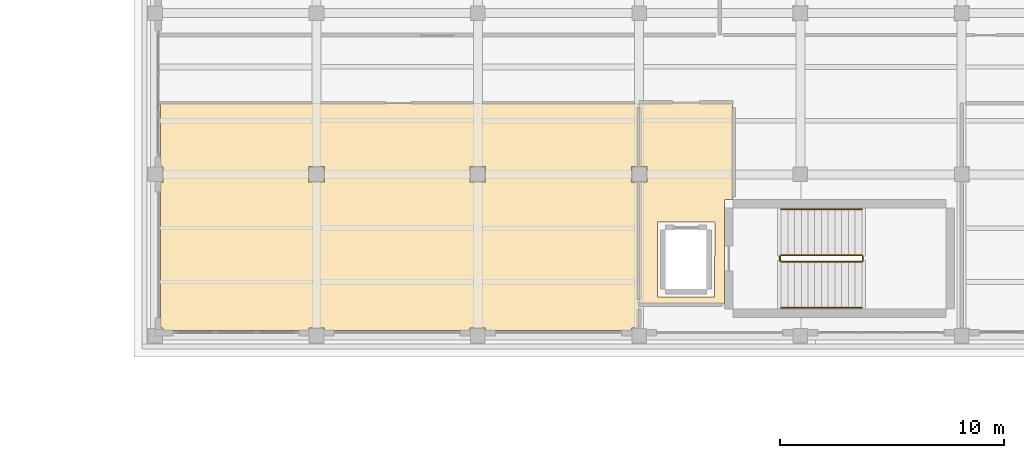
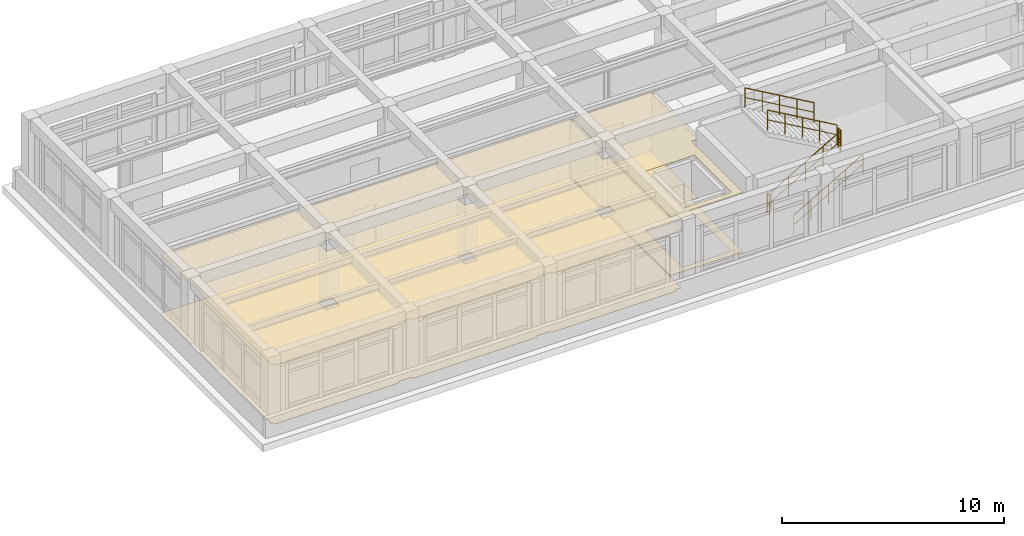
# One storey, part 52 of 55: 6 railings, 4 coverings.
"""IFC4 building model written with IfcOpenShell, lengths in metres."""

from ifc_helpers import new_model, si_unit, direction, frame, origin, origin_2d, place, context, subcontext, project, spatial, polyline, circle, outline, extrude, material, layer, layer_set, type_object, element, save


model = new_model("IFC4")

# Units and contexts
model_context = context("Model", 3, precision=1e-05, world=origin(), true_north=direction((0.0, 1.0)))
body_context = subcontext(model_context, "Body", "Model", "MODEL_VIEW")
ifc_project = project(units=[si_unit("LENGTHUNIT", "METRE"), si_unit("AREAUNIT", "SQUARE_METRE"), si_unit("VOLUMEUNIT", "CUBIC_METRE"), si_unit("PLANEANGLEUNIT", "RADIAN"), si_unit("MASSUNIT", "GRAM", prefix="KILO")], contexts=[model_context])

# Site, building, storey
site_placement = place(None, origin())
site = spatial("IfcSite", under=ifc_project, at=site_placement, CompositionType="ELEMENT")
building_placement = place(site_placement, origin())
building = spatial("IfcBuilding", under=site, at=building_placement, Name="Solenvale Faculty of Natural Sciences", CompositionType="ELEMENT")
storey_placement = place(building_placement, frame((0.0, 0.0, 22.5)))
storey = spatial("IfcBuildingStorey", under=building, at=storey_placement, Name="L05", CompositionType="ELEMENT", Elevation=22.5)

# Coverings
ifc_material_1 = material(Name="Acoustic mineral-timber ceiling", Category="wood")
ifc_layer_1 = layer(ifc_material_1, 0.02490234375)
ifc_layer_set_1 = layer_set([ifc_layer_1], Name="Acoustic mineral-timber ceiling")
covering_type_1 = type_object("IfcCoveringType", Name="COV-CEIL-AC25", PredefinedType="CEILING", material=ifc_layer_set_1)
covering_1_placement = place(storey_placement, frame((0.0, 0.0, 3.235107421875)))
element("IfcCovering", 1, at=covering_1_placement, inside=storey, type_object=covering_type_1, Name="L05 Firefighting Lobby C4 Acoustic Ceiling", PredefinedType="CEILING", context=body_context, shape_type="SweptSolid", body=[
    extrude(outline(polyline([(104.97998046875, 99.7099609375), (104.9560546875, 99.680908203125), (104.64794921875, 99.679931640625), (104.6201171875, 99.652099609375), (104.613037109375, 95.031005859375), (104.590087890625, 95.02001953125), (100.8310546875, 95.027099609375), (100.820068359375, 95.050048828125), (100.820068359375, 100.423095703125), (100.846923828125, 100.449951171875), (101.14892578125, 100.4560546875), (101.14990234375, 101.138916015625), (101.138916015625, 101.14990234375), (100.846923828125, 101.14990234375), (100.820068359375, 101.177001953125), (100.820068359375, 103.949951171875), (100.8291015625, 103.970947265625), (100.85009765625, 103.97998046875), (104.949951171875, 103.97998046875), (104.970947265625, 103.970947265625), (104.97998046875, 103.949951171875), (104.97998046875, 99.7099609375)]), holes=[polyline([(104.179931640625, 98.652099609375), (104.169921875, 98.672119140625), (104.14990234375, 98.679931640625), (101.64990234375, 98.679931640625), (101.6259765625, 98.66796875), (101.6201171875, 95.35009765625), (101.632080078125, 95.325927734375), (104.14990234375, 95.320068359375), (104.174072265625, 95.33203125), (104.179931640625, 98.652099609375)])]), origin(), (0.0, 0.0, 1.0), 0.02490234375),
])
covering_2_placement = place(storey_placement, frame((0.0, 0.0, 3.235107421875)))
element("IfcCovering", 2, at=covering_2_placement, inside=storey, type_object=covering_type_1, Name="L05 Seminar Room Acoustic Ceiling", PredefinedType="CEILING", context=body_context, shape_type="SweptSolid", body=[
    extrude(outline(polyline([(100.72998046875, 103.9599609375), (100.7509765625, 103.950927734375), (100.760009765625, 103.929931640625), (100.760009765625, 101.177001953125), (100.73291015625, 101.14990234375), (100.450927734375, 101.14404296875), (100.449951171875, 100.4609375), (100.4609375, 100.449951171875), (100.73291015625, 100.449951171875), (100.760009765625, 100.419921875), (100.760009765625, 95.0), (100.780029296875, 94.950927734375), (100.780029296875, 93.97998046875), (100.760986328125, 93.951904296875), (100.45703125, 93.949951171875), (100.448974609375, 93.861083984375), (100.419921875, 93.840087890625), (93.97998046875, 93.840087890625), (93.951904296875, 93.85888671875), (93.949951171875, 93.94091796875), (93.93896484375, 93.949951171875), (93.258056640625, 93.949951171875), (93.2490234375, 93.861083984375), (93.219970703125, 93.840087890625), (86.780029296875, 93.840087890625), (86.751953125, 93.85888671875), (86.75, 93.94091796875), (86.739013671875, 93.949951171875), (86.05810546875, 93.949951171875), (86.049072265625, 93.861083984375), (86.02001953125, 93.840087890625), (79.580078125, 93.840087890625), (79.551025390625, 93.861083984375), (79.547119140625, 93.947021484375), (79.464111328125, 93.950927734375), (79.44189453125, 93.968994140625), (79.43994140625, 100.419921875), (79.458984375, 100.447998046875), (79.541015625, 100.449951171875), (79.550048828125, 100.4609375), (79.550048828125, 101.14208984375), (79.4609375, 101.15087890625), (79.43994140625, 101.179931640625), (79.43994140625, 103.929931640625), (79.458984375, 103.9580078125), (100.72998046875, 103.9599609375)]), holes=[polyline([(93.260986328125, 101.14990234375), (93.25, 101.138916015625), (93.2529296875, 100.452880859375), (93.947021484375, 100.452880859375), (93.947021484375, 101.14697265625), (93.260986328125, 101.14990234375)]), polyline([(86.06103515625, 101.14990234375), (86.050048828125, 101.138916015625), (86.052978515625, 100.452880859375), (86.7470703125, 100.452880859375), (86.7470703125, 101.14697265625), (86.06103515625, 101.14990234375)])]), origin(), (0.0, 0.0, 1.0), 0.02490234375),
])
ifc_material_2 = material(Name="Polished slate terrazzo flooring", Category="masonry")
ifc_layer_2 = layer(ifc_material_2, 0.01806640625)
ifc_layer_set_2 = layer_set([ifc_layer_2], Name="Polished slate terrazzo flooring")
covering_type_2 = type_object("IfcCoveringType", Name="COV-FLR-TRZ18", PredefinedType="FLOORING", material=ifc_layer_set_2)
covering_3_placement = place(storey_placement, origin())
element("IfcCovering", 3, at=covering_3_placement, inside=storey, type_object=covering_type_2, Name="L05 Firefighting Lobby C4 Floor Finish", PredefinedType="FLOORING", context=body_context, shape_type="SweptSolid", body=[
    extrude(outline(polyline([(104.97998046875, 99.7099609375), (104.9560546875, 99.680908203125), (104.64794921875, 99.679931640625), (104.6201171875, 99.652099609375), (104.613037109375, 95.031005859375), (104.590087890625, 95.02001953125), (100.8310546875, 95.027099609375), (100.820068359375, 95.050048828125), (100.820068359375, 100.423095703125), (100.846923828125, 100.449951171875), (101.14892578125, 100.4560546875), (101.14990234375, 101.138916015625), (101.138916015625, 101.14990234375), (100.846923828125, 101.14990234375), (100.820068359375, 101.177001953125), (100.820068359375, 103.949951171875), (100.8291015625, 103.970947265625), (100.85009765625, 103.97998046875), (104.949951171875, 103.97998046875), (104.970947265625, 103.970947265625), (104.97998046875, 103.949951171875), (104.97998046875, 99.7099609375)]), holes=[polyline([(104.179931640625, 98.652099609375), (104.169921875, 98.672119140625), (104.14990234375, 98.679931640625), (101.64990234375, 98.679931640625), (101.6259765625, 98.66796875), (101.6201171875, 95.35009765625), (101.632080078125, 95.325927734375), (104.14990234375, 95.320068359375), (104.174072265625, 95.33203125), (104.179931640625, 98.652099609375)])]), origin(), (0.0, 0.0, 1.0), 0.01806640625),
])
covering_4_placement = place(storey_placement, origin())
element("IfcCovering", 4, at=covering_4_placement, inside=storey, type_object=covering_type_2, Name="L05 Seminar Room Floor Finish", PredefinedType="FLOORING", context=body_context, shape_type="SweptSolid", body=[
    extrude(outline(polyline([(100.72998046875, 103.9599609375), (100.7509765625, 103.950927734375), (100.760009765625, 103.929931640625), (100.760009765625, 101.177001953125), (100.73291015625, 101.14990234375), (100.450927734375, 101.14404296875), (100.449951171875, 100.4609375), (100.4609375, 100.449951171875), (100.73291015625, 100.449951171875), (100.760009765625, 100.419921875), (100.760009765625, 95.0), (100.780029296875, 94.950927734375), (100.780029296875, 93.97998046875), (100.760986328125, 93.951904296875), (100.45703125, 93.949951171875), (100.448974609375, 93.861083984375), (100.419921875, 93.840087890625), (93.97998046875, 93.840087890625), (93.951904296875, 93.85888671875), (93.949951171875, 93.94091796875), (93.93896484375, 93.949951171875), (93.258056640625, 93.949951171875), (93.2490234375, 93.861083984375), (93.219970703125, 93.840087890625), (86.780029296875, 93.840087890625), (86.751953125, 93.85888671875), (86.75, 93.94091796875), (86.739013671875, 93.949951171875), (86.05810546875, 93.949951171875), (86.049072265625, 93.861083984375), (86.02001953125, 93.840087890625), (79.580078125, 93.840087890625), (79.551025390625, 93.861083984375), (79.547119140625, 93.947021484375), (79.464111328125, 93.950927734375), (79.44189453125, 93.968994140625), (79.43994140625, 100.419921875), (79.458984375, 100.447998046875), (79.541015625, 100.449951171875), (79.550048828125, 100.4609375), (79.550048828125, 101.14208984375), (79.4609375, 101.15087890625), (79.43994140625, 101.179931640625), (79.43994140625, 103.929931640625), (79.458984375, 103.9580078125), (100.72998046875, 103.9599609375)]), holes=[polyline([(93.260986328125, 101.14990234375), (93.25, 101.138916015625), (93.2529296875, 100.452880859375), (93.947021484375, 100.452880859375), (93.947021484375, 101.14697265625), (93.260986328125, 101.14990234375)]), polyline([(86.06103515625, 101.14990234375), (86.050048828125, 101.138916015625), (86.052978515625, 100.452880859375), (86.7470703125, 100.452880859375), (86.7470703125, 101.14697265625), (86.06103515625, 101.14990234375)])]), origin(), (0.0, 0.0, 1.0), 0.01806640625),
])

# Railings
ifc_material_3 = material(Name="Stainless steel Grade 304", Category="steel")
railing_type_1 = type_object("IfcRailingType", Name="RL-GRD-1100", PredefinedType="GUARDRAIL", material=ifc_material_3)
railing_1_placement = place(storey_placement, frame((107.139892578125, 96.89990234375, 0.173095703125)))
element("IfcRailing", 5, at=railing_1_placement, inside=storey, type_object=railing_type_1, Name="L05 ST-04 stair guard 1", PredefinedType="GUARDRAIL", context=body_context, shape_type="SweptSolid", body=[
    extrude(circle(Radius=0.02392578125, at=origin_2d()), frame((0.0, 0.0, 1.09619140625), z_axis=(0.866193409371, 0.0, 0.499708892819), x_axis=(0.0, 1.0, 0.0)), (0.0, 0.0, 1.0), 4.15625),
    extrude(circle(Radius=0.01611328125, at=origin_2d()), frame((0.0, 0.0, 0.56005859375), z_axis=(0.866193409371, 0.0, 0.499708892819), x_axis=(0.0, 1.0, 0.0)), (0.0, 0.0, 1.0), 4.15625),
    extrude(circle(Radius=0.02099609375, at=origin_2d()), origin(), (0.0, 0.0, 1.0), 1.072021484375),
    extrude(circle(Radius=0.02099609375, at=origin_2d()), frame((0.89990234375, 0.0, 0.519287109375)), (0.0, 0.0, 1.0), 1.072021484375),
    extrude(circle(Radius=0.02099609375, at=origin_2d()), frame((1.800048828125, 0.0, 1.03857421875)), (0.0, 0.0, 1.0), 1.072021484375),
    extrude(circle(Radius=0.02099609375, at=origin_2d()), frame((2.7001953125, 0.0, 1.5576171875)), (0.0, 0.0, 1.0), 1.072021484375),
    extrude(circle(Radius=0.02099609375, at=origin_2d()), frame((3.60009765625, 0.0, 2.076904296875)), (0.0, 0.0, 1.0), 1.072021484375),
])
railing_2_placement = place(storey_placement, frame((110.7900390625, 96.949951171875, 2.25)))
element("IfcRailing", 6, at=railing_2_placement, inside=storey, type_object=railing_type_1, Name="L05 ST-04 stair guard 2", PredefinedType="GUARDRAIL", context=body_context, shape_type="SweptSolid", body=[
    extrude(circle(Radius=0.02392578125, at=origin_2d()), frame((0.0, 0.0, 1.09619140625), z_axis=(0.0, 1.0, 0.0), x_axis=(-1.0, 0.0, 0.0)), (0.0, 0.0, 1.0), 0.199951171875),
    extrude(circle(Radius=0.01611328125, at=origin_2d()), frame((0.0, 0.0, 0.56005859375), z_axis=(0.0, 1.0, 0.0), x_axis=(-1.0, 0.0, 0.0)), (0.0, 0.0, 1.0), 0.199951171875),
    extrude(circle(Radius=0.02099609375, at=origin_2d()), origin(), (0.0, 0.0, 1.0), 1.072021484375),
    extrude(circle(Radius=0.02099609375, at=origin_2d()), frame((0.0, 0.199951171875, 0.0)), (0.0, 0.0, 1.0), 1.072021484375),
])
railing_3_placement = place(storey_placement, frame((110.739990234375, 97.199951171875, 2.423095703125)))
element("IfcRailing", 7, at=railing_3_placement, inside=storey, type_object=railing_type_1, Name="L05 ST-04 stair guard 3", PredefinedType="GUARDRAIL", context=body_context, shape_type="SweptSolid", body=[
    extrude(circle(Radius=0.02392578125, at=origin_2d()), frame((0.0, 0.0, 1.09619140625), z_axis=(-0.866193409371, 0.0, 0.499708892819), x_axis=(0.0, -1.0, 0.0)), (0.0, 0.0, 1.0), 4.15625),
    extrude(circle(Radius=0.01611328125, at=origin_2d()), frame((0.0, 0.0, 0.56005859375), z_axis=(-0.866193409371, 0.0, 0.499708892819), x_axis=(0.0, -1.0, 0.0)), (0.0, 0.0, 1.0), 4.15625),
    extrude(circle(Radius=0.02099609375, at=origin_2d()), origin(), (0.0, 0.0, 1.0), 1.072021484375),
    extrude(circle(Radius=0.02099609375, at=origin_2d()), frame((-0.89990234375, 0.0, 0.519287109375)), (0.0, 0.0, 1.0), 1.072021484375),
    extrude(circle(Radius=0.02099609375, at=origin_2d()), frame((-1.800048828125, 0.0, 1.03857421875)), (0.0, 0.0, 1.0), 1.072021484375),
    extrude(circle(Radius=0.02099609375, at=origin_2d()), frame((-2.7001953125, 0.0, 1.5576171875)), (0.0, 0.0, 1.0), 1.072021484375),
    extrude(circle(Radius=0.02099609375, at=origin_2d()), frame((-3.60009765625, 0.0, 2.076904296875)), (0.0, 0.0, 1.0), 1.072021484375),
])
railing_4_placement = place(storey_placement, frame((107.090087890625, 96.949951171875, 0.0)))
element("IfcRailing", 8, at=railing_4_placement, inside=storey, type_object=railing_type_1, Name="L05 ST-04 stair guard 4", PredefinedType="GUARDRAIL", context=body_context, shape_type="SweptSolid", body=[
    extrude(circle(Radius=0.02392578125, at=origin_2d()), frame((0.0, 0.0, 1.09619140625), z_axis=(0.0, 1.0, 0.0), x_axis=(-1.0, 0.0, 0.0)), (0.0, 0.0, 1.0), 0.199951171875),
    extrude(circle(Radius=0.01611328125, at=origin_2d()), frame((0.0, 0.0, 0.56005859375), z_axis=(0.0, 1.0, 0.0), x_axis=(-1.0, 0.0, 0.0)), (0.0, 0.0, 1.0), 0.199951171875),
    extrude(circle(Radius=0.02099609375, at=origin_2d()), origin(), (0.0, 0.0, 1.0), 1.072021484375),
    extrude(circle(Radius=0.02099609375, at=origin_2d()), frame((0.0, 0.199951171875, 0.0)), (0.0, 0.0, 1.0), 1.072021484375),
])
railing_type_2 = type_object("IfcRailingType", Name="RL-HND-900", PredefinedType="HANDRAIL", material=ifc_material_3)
railing_5_placement = place(storey_placement, frame((107.139892578125, 94.85009765625, 0.173095703125)))
element("IfcRailing", 9, at=railing_5_placement, inside=storey, type_object=railing_type_2, Name="L05 ST-04 stair handrail 1", PredefinedType="HANDRAIL", context=body_context, shape_type="SweptSolid", body=[
    extrude(circle(Radius=0.02392578125, at=origin_2d()), frame((0.0, 0.0, 1.0732421875), z_axis=(0.866193409371, 0.0, 0.499708892819), x_axis=(0.0, 1.0, 0.0)), (0.0, 0.0, 1.0), 4.15625),
    extrude(circle(Radius=0.01611328125, at=origin_2d()), frame((0.0, 0.0, 0.548583984375), z_axis=(0.866193409371, 0.0, 0.499708892819), x_axis=(0.0, 1.0, 0.0)), (0.0, 0.0, 1.0), 4.15625),
    extrude(circle(Radius=0.02099609375, at=origin_2d()), origin(), (0.0, 0.0, 1.0), 1.049072265625),
    extrude(circle(Radius=0.02099609375, at=origin_2d()), frame((0.89990234375, 0.0, 0.519287109375)), (0.0, 0.0, 1.0), 1.049072265625),
    extrude(circle(Radius=0.02099609375, at=origin_2d()), frame((1.800048828125, 0.0, 1.03857421875)), (0.0, 0.0, 1.0), 1.049072265625),
    extrude(circle(Radius=0.02099609375, at=origin_2d()), frame((2.7001953125, 0.0, 1.5576171875)), (0.0, 0.0, 1.0), 1.049072265625),
    extrude(circle(Radius=0.02099609375, at=origin_2d()), frame((3.60009765625, 0.0, 2.076904296875)), (0.0, 0.0, 1.0), 1.049072265625),
])
railing_6_placement = place(storey_placement, frame((110.739990234375, 99.25, 2.423095703125)))
element("IfcRailing", 10, at=railing_6_placement, inside=storey, type_object=railing_type_2, Name="L05 ST-04 stair handrail 2", PredefinedType="HANDRAIL", context=body_context, shape_type="SweptSolid", body=[
    extrude(circle(Radius=0.02392578125, at=origin_2d()), frame((0.0, 0.0, 1.0732421875), z_axis=(-0.866193409371, 0.0, 0.499708892819), x_axis=(0.0, -1.0, 0.0)), (0.0, 0.0, 1.0), 4.15625),
    extrude(circle(Radius=0.01611328125, at=origin_2d()), frame((0.0, 0.0, 0.548583984375), z_axis=(-0.866193409371, 0.0, 0.499708892819), x_axis=(0.0, -1.0, 0.0)), (0.0, 0.0, 1.0), 4.15625),
    extrude(circle(Radius=0.02099609375, at=origin_2d()), origin(), (0.0, 0.0, 1.0), 1.049072265625),
    extrude(circle(Radius=0.02099609375, at=origin_2d()), frame((-0.89990234375, 0.0, 0.519287109375)), (0.0, 0.0, 1.0), 1.049072265625),
    extrude(circle(Radius=0.02099609375, at=origin_2d()), frame((-1.800048828125, 0.0, 1.03857421875)), (0.0, 0.0, 1.0), 1.049072265625),
    extrude(circle(Radius=0.02099609375, at=origin_2d()), frame((-2.7001953125, 0.0, 1.5576171875)), (0.0, 0.0, 1.0), 1.049072265625),
    extrude(circle(Radius=0.02099609375, at=origin_2d()), frame((-3.60009765625, 0.0, 2.076904296875)), (0.0, 0.0, 1.0), 1.049072265625),
])

save(model, "model.ifc")
